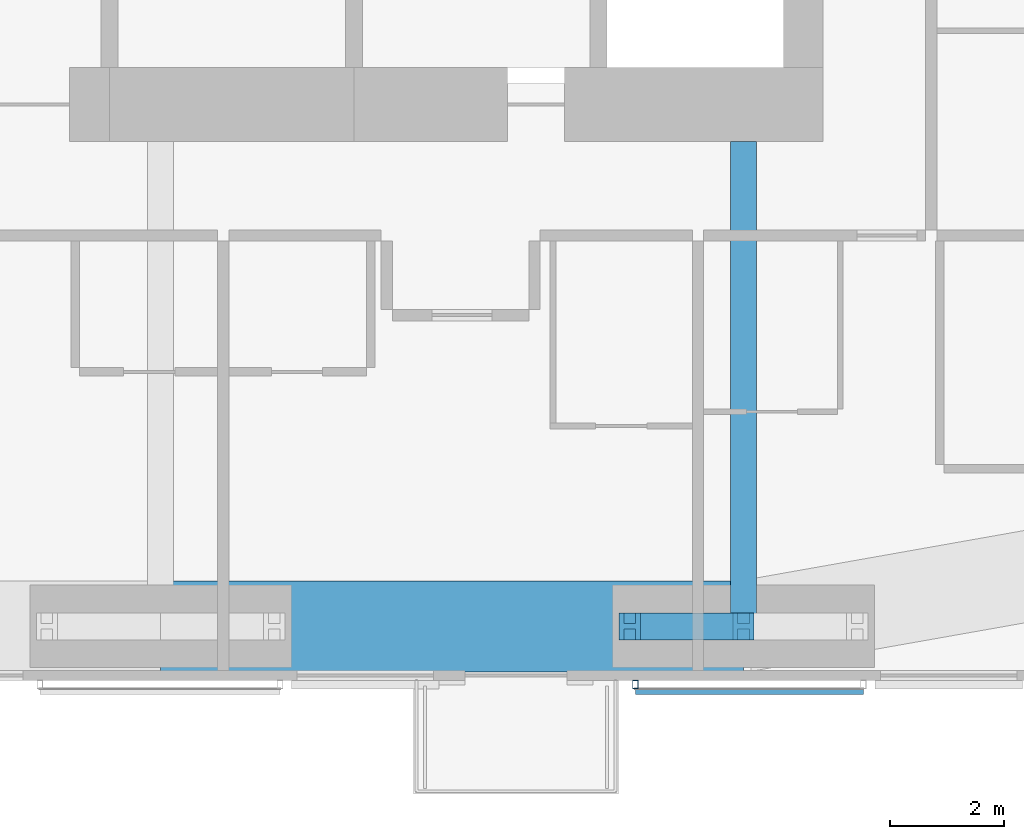
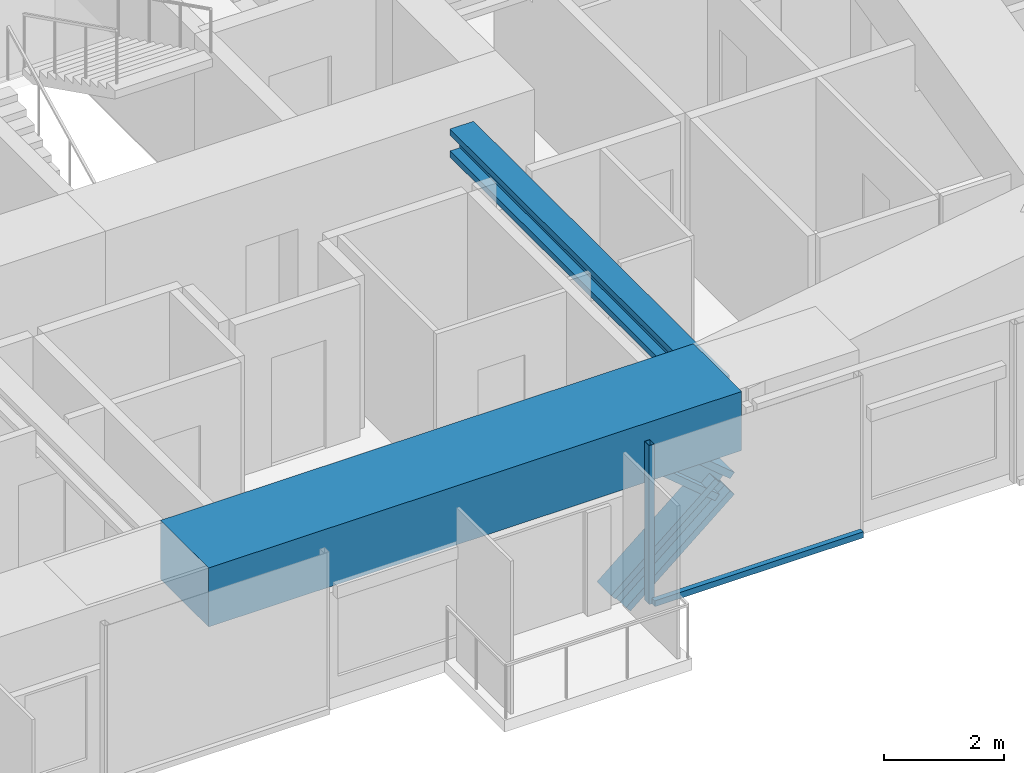
# One storey, part 4 of 23: 4 members, 2 beams, 1 element without a shape of its own.
"""IFC4 building model written with IfcOpenShell, lengths in metres."""

import ifcopenshell
import ifcopenshell.guid

model = None  # the IFC model being written
_history = None  # IfcOwnerHistory: only IFC2X3 demands one
_inside = {}  # id of a spatial element -> (the spatial element, [elements in it])
_under = {}  # id of a project, library or spatial element -> (it, [spatial elements below it])
_declared = {}  # id of a project -> (the project, [libraries it declares])
_typed = {}  # id of a type object -> (the type object, [elements of that type])
_made_of = {}  # id of a material, layer set ... -> (it, [elements and type objects made of it])


def new_model(schema):
    """Start an empty IFC model of exactly this schema.

    Asked for "IFC4X3", IfcOpenShell would pick the latest addendum, in which some entities
    have other attributes; the version numbers below select the first issue.
    IFC2X3 requires an IfcOwnerHistory on every rooted entity: one is made here for all.
    """
    global model, _history
    if schema == "IFC4X3":
        model = ifcopenshell.file(schema_version=(4, 3, 0, 0))
    else:
        model = ifcopenshell.file(schema=schema)
    _inside.clear()
    _under.clear()
    _declared.clear()
    _typed.clear()
    _made_of.clear()
    _history = None
    if model.schema == "IFC2X3":
        org = make("IfcOrganization", Name="unknown")
        user = make(
            "IfcPersonAndOrganization",
            ThePerson=make("IfcPerson", FamilyName="unknown"),
            TheOrganization=org,
        )
        app = make(
            "IfcApplication",
            ApplicationDeveloper=org,
            Version="unknown",
            ApplicationFullName="unknown",
            ApplicationIdentifier="unknown",
        )
        _history = make(
            "IfcOwnerHistory",
            OwningUser=user,
            OwningApplication=app,
            ChangeAction="ADDED",
            CreationDate=0,
        )
    return model


def make(cls, **values):
    """One entity of the class cls with the attributes given. An attribute that is None is left unset."""
    return model.create_entity(
        cls, **{name: value for name, value in values.items() if value is not None}
    )


def rooted(cls, **values):
    """An entity with a GlobalId (a new one), such as an element, a storey or a relation."""
    return make(cls, GlobalId=ifcopenshell.guid.new(), OwnerHistory=_history, **values)


def si_unit(unit_type, name, prefix=None):
    """IfcSIUnit, for example si_unit("LENGTHUNIT", "METRE", prefix="MILLI")."""
    return make("IfcSIUnit", UnitType=unit_type, Prefix=prefix, Name=name)


def assignment(units):
    """IfcUnitAssignment: the units of a project."""
    return None if units is None else make("IfcUnitAssignment", Units=units)


def point(xyz):
    """IfcCartesianPoint."""
    return None if xyz is None else make("IfcCartesianPoint", Coordinates=xyz)


def direction(xyz):
    """IfcDirection."""
    return None if xyz is None else make("IfcDirection", DirectionRatios=xyz)


def frame(location, z_axis=None, x_axis=None):
    """IfcAxis2Placement3D, a coordinate frame: its origin and axes. An axis left out is left unset."""
    return make(
        "IfcAxis2Placement3D",
        Location=point(location),
        Axis=direction(z_axis),
        RefDirection=direction(x_axis),
    )


def frame_2d(location, x_axis=None):
    """IfcAxis2Placement2D, a coordinate frame in the plane: its origin and x axis."""
    return make(
        "IfcAxis2Placement2D", Location=point(location), RefDirection=direction(x_axis)
    )


def origin():
    """The frame at (0, 0, 0) with its axes left unset."""
    return frame((0.0, 0.0, 0.0))


def origin_2d():
    """The frame at (0, 0) in the plane with its x axis left unset."""
    return frame_2d((0.0, 0.0))


def place(relative_to, where):
    """IfcLocalPlacement: puts the frame where relative to a parent placement (None: the world)."""
    return make(
        "IfcLocalPlacement", PlacementRelTo=relative_to, RelativePlacement=where
    )


def context(
    kind, dimensions, precision=None, world=None, true_north=None, identifier=None
):
    """IfcGeometricRepresentationContext, for example the 3D "Model" context."""
    return make(
        "IfcGeometricRepresentationContext",
        ContextIdentifier=identifier,
        ContextType=kind,
        CoordinateSpaceDimension=dimensions,
        Precision=precision,
        WorldCoordinateSystem=world,
        TrueNorth=true_north,
    )


def subcontext(parent, identifier, kind, view, scale=None):
    """IfcGeometricRepresentationSubContext, for example "Body" below "Model"."""
    return make(
        "IfcGeometricRepresentationSubContext",
        ContextIdentifier=identifier,
        ContextType=kind,
        ParentContext=parent,
        TargetScale=scale,
        TargetView=view,
    )


def project(units=None, contexts=None):
    """IfcProject with its units and contexts."""
    return rooted(
        "IfcProject",
        Name="project",
        RepresentationContexts=contexts,
        UnitsInContext=assignment(units),
    )


def spatial(cls, under=None, at=None, **own):
    """A site, building, storey or space (cls), placed at a placement, below another one or the project."""
    s = rooted(cls, ObjectPlacement=at, **own)
    if under is not None:
        _under.setdefault(under.id(), (under, []))[1].append(s)
    return s


def profile(cls, at=None, kind="AREA", **sizes):
    """A parametric profile (cls). Its sizes go by their IFC names, for example OverallWidth=200.0."""
    return make(cls, ProfileType=kind, Position=at, **sizes)


def rectangle(**sizes):
    """IfcRectangleProfileDef."""
    return profile("IfcRectangleProfileDef", **sizes)


def hollow_rectangle(**sizes):
    """IfcRectangleHollowProfileDef."""
    return profile("IfcRectangleHollowProfileDef", **sizes)


def i_section(**sizes):
    """IfcIShapeProfileDef."""
    return profile("IfcIShapeProfileDef", **sizes)


def extrude(swept, where, along, depth):
    """IfcExtrudedAreaSolid: the profile swept, set in the frame where, extruded along a direction by depth."""
    return make(
        "IfcExtrudedAreaSolid",
        SweptArea=swept,
        Position=where,
        ExtrudedDirection=direction(along),
        Depth=depth,
    )


def shape(context_of_items, identifier, shape_type, items):
    """IfcShapeRepresentation: the items that make up one representation, for example the "Body"."""
    return make(
        "IfcShapeRepresentation",
        ContextOfItems=context_of_items,
        RepresentationIdentifier=identifier,
        RepresentationType=shape_type,
        Items=items,
    )


def material(Name=None, Category=None):
    """IfcMaterial."""
    return make("IfcMaterial", Name=Name, Category=Category)


def material_profile(
    of_material, cross_section, Name=None, Category=None, Priority=None
):
    """IfcMaterialProfile: a cross section and its material."""
    return make(
        "IfcMaterialProfile",
        Name=Name,
        Material=of_material,
        Profile=cross_section,
        Priority=Priority,
        Category=Category,
    )


def profile_set(profiles, Name=None, composite=None):
    """IfcMaterialProfileSet."""
    return make(
        "IfcMaterialProfileSet",
        Name=Name,
        MaterialProfiles=profiles,
        CompositeProfile=composite,
    )


def made_of(thing, what):
    """Note that an element or type object is made of a material, layer set ...; save() writes the relation."""
    if what is not None:
        _made_of.setdefault(what.id(), (what, []))[1].append(thing)
    return thing


def type_object(cls, material=None, **own):
    """A type object (cls), such as IfcWallType, which elements share."""
    return made_of(rooted(cls, **own), material)


def element(
    cls,
    number,
    at=None,
    inside=None,
    cuts=None,
    type_object=None,
    material=None,
    context=None,
    identifier="Body",
    shape_type=None,
    held_by="IfcProductDefinitionShape",
    body=None,
    shapes=None,
    **own,
):
    """One element of the class cls, such as IfcWall. Its Tag is "e" and its number.

    at: its placement. inside: the storey or other place that contains it. cuts: it is an
    opening in that element (IfcRelVoidsElement). A single representation is given by context,
    identifier, shape_type and body (its items); several are given by shapes. held_by: the class
    of the entity that holds the representations. save() writes the other relations.
    """
    e = rooted(cls, Tag="e%d" % number, ObjectPlacement=at, **own)
    if body is not None:
        shapes = [shape(context, identifier, shape_type, body)]
    if shapes is not None:
        e.Representation = make(held_by, Representations=shapes)
    if inside is not None:
        _inside.setdefault(inside.id(), (inside, []))[1].append(e)
    if cuts is not None:
        rooted(
            "IfcRelVoidsElement", RelatingBuildingElement=cuts, RelatedOpeningElement=e
        )
    if type_object is not None:
        _typed.setdefault(type_object.id(), (type_object, []))[1].append(e)
    return made_of(e, material)


def aggregate(whole, parts):
    """IfcRelAggregates: a whole, such as a stair, and the parts it consists of."""
    return rooted("IfcRelAggregates", RelatingObject=whole, RelatedObjects=parts)


def save(model, path):
    """Write the relations noted so far, then the file.

    IfcRelAggregates (storeys below a building ...), IfcRelContainedInSpatialStructure (elements
    in a storey), IfcRelDefinesByType, IfcRelAssociatesMaterial and IfcRelDeclares: one each for
    every whole, place, type object, material and project.
    """
    for whole, parts in _under.values():
        aggregate(whole, parts)
    for where, things in _inside.values():
        rooted(
            "IfcRelContainedInSpatialStructure",
            RelatedElements=things,
            RelatingStructure=where,
        )
    for kind, things in _typed.values():
        rooted("IfcRelDefinesByType", RelatedObjects=things, RelatingType=kind)
    for what, things in _made_of.values():
        rooted("IfcRelAssociatesMaterial", RelatedObjects=things, RelatingMaterial=what)
    for by, libraries in _declared.values():
        rooted("IfcRelDeclares", RelatingContext=by, RelatedDefinitions=libraries)
    model.write(path)


model = new_model("IFC4")

# Units and contexts
model_context = context("Model", 3, precision=1e-05, world=origin(), true_north=direction((0.0, 1.0)))
body_context = subcontext(model_context, "Body", "Model", "MODEL_VIEW")
ifc_project = project(units=[si_unit("LENGTHUNIT", "METRE"), si_unit("AREAUNIT", "SQUARE_METRE"), si_unit("VOLUMEUNIT", "CUBIC_METRE"), si_unit("PLANEANGLEUNIT", "RADIAN"), si_unit("MASSUNIT", "GRAM", prefix="KILO")], contexts=[model_context])

# Site, building, storey
site_placement = place(None, origin())
site = spatial("IfcSite", under=ifc_project, at=site_placement, CompositionType="ELEMENT")
building_placement = place(site_placement, origin())
building = spatial("IfcBuilding", under=site, at=building_placement, Name="Jalousie Tower", CompositionType="ELEMENT")
storey_placement = place(building_placement, frame((0.0, 0.0, 167.75)))
storey = spatial("IfcBuildingStorey", under=building, at=storey_placement, Name="L45", CompositionType="ELEMENT", Elevation=167.75)

# Beam
ifc_material_1 = material(Name="Steel ASTM A992 Grade 50", Category="steel")
ifc_material_profile_1 = material_profile(ifc_material_1, i_section(OverallWidth=0.45458984375, OverallDepth=0.569091796875, WebThickness=0.077880859375, FlangeThickness=0.124755859375, at=origin_2d()), Name="W14X730")
ifc_profile_set_1 = profile_set([ifc_material_profile_1], Name="Steel ASTM A992 Grade 50")
beam_type_1 = type_object("IfcBeamType", Name="LEAN COLLECTOR W14X730", PredefinedType="BEAM", material=ifc_profile_set_1)
beam_1_placement = place(storey_placement, frame((42.75, 0.949951171875, 2.825439453125), z_axis=(0.0, 1.0, 0.0), x_axis=(-1.0, 0.0, 0.0)))
element("IfcBeam", 1, at=beam_1_placement, inside=storey, type_object=beam_type_1, Name="Lean collector under L46", PredefinedType="BEAM", context=body_context, shape_type="SweptSolid", body=[
    extrude(i_section(OverallWidth=0.45458984375, OverallDepth=0.569091796875, WebThickness=0.077880859375, FlangeThickness=0.124755859375, at=origin_2d()), origin(), (0.0, 0.0, 1.0), 8.525146484375),
])

# Members
ifc_material_2 = material(Name="Steel ASTM A992 Grade 50", Category="steel")
ifc_material_profile_2 = material_profile(ifc_material_2, i_section(OverallWidth=0.472412109375, OverallDepth=0.5791015625, WebThickness=0.094970703125, FlangeThickness=0.1298828125, at=origin_2d()), Name="W14X808")
ifc_profile_set_2 = profile_set([ifc_material_profile_2], Name="Steel ASTM A992 Grade 50")
member_type_1 = type_object("IfcMemberType", Name="PERIMETER BRACE W14X808", PredefinedType="BRACE", material=ifc_profile_set_2)
for number, where, z_axis, x_axis, name in (
    (2, (40.75, 0.949951171875, -0.60009765625), (0.766638753323, 0.0, 0.642078672674), (0.0, 1.0, 0.0), "Perimeter brace 04 L45 part 1"),
    (3, (42.75, 0.949951171875, 1.074951171875), (-0.766638753323, 0.0, 0.642078672674), (0.0, -1.0, 0.0), "Perimeter brace 04 L45 part 4"),
):
    element("IfcMember", number, at=place(storey_placement, frame(where, z_axis=z_axis, x_axis=x_axis)), inside=storey, type_object=member_type_1, Name=name, PredefinedType="BRACE", context=body_context, shape_type="SweptSolid", body=[
        extrude(i_section(OverallWidth=0.472412109375, OverallDepth=0.5791015625, WebThickness=0.094970703125, FlangeThickness=0.1298828125, at=origin_2d()), origin(), (0.0, 0.0, 1.0), 2.60888671875),
    ])

# Beam
ifc_material_3 = material(Name="Concrete f'c 40 MPa", Category="concrete")
ifc_material_profile_3 = material_profile(ifc_material_3, rectangle(XDim=1.60009765625, YDim=1.199951171875, at=origin_2d()), Name="RC 1600x1200")
ifc_profile_set_3 = profile_set([ifc_material_profile_3], Name="Concrete f'c 40 MPa")
beam_type_2 = type_object("IfcBeamType", Name="RC BEAM 1600x1200", PredefinedType="BEAM", material=ifc_profile_set_3)
beam_2_placement = place(storey_placement, frame((32.5, 0.949951171875, 2.75), z_axis=(1.0, 0.0, 0.0), x_axis=(0.0, 1.0, 0.0)))
element("IfcBeam", 4, at=beam_2_placement, inside=storey, type_object=beam_type_2, Name="Edge band beam 03-04 under L46", PredefinedType="BEAM", context=body_context, shape_type="SweptSolid", body=[
    extrude(rectangle(XDim=1.60009765625, YDim=1.199951171875, at=origin_2d()), origin(), (0.0, 0.0, 1.0), 10.25),
])

# Curtain wall, members
ifc_material_4 = material(Name="Perforated aluminium sheet", Category="aluminium")
curtain_wall_type = type_object("IfcCurtainWallType", Name="SOLAR SCREEN SS-1", PredefinedType="USERDEFINED", material=ifc_material_4)
curtain_wall_placement = place(storey_placement, origin())
curtain_wall = element("IfcCurtainWall", 5, at=curtain_wall_placement, inside=storey, type_object=curtain_wall_type, Name="Solar screen L45", ObjectType="SOLAR SCREEN SS-1", PredefinedType="USERDEFINED")
ifc_material_5 = material(Name="Steel ASTM A500 Grade C", Category="steel")
ifc_material_profile_4 = material_profile(ifc_material_5, hollow_rectangle(XDim=0.1015625, YDim=0.15234375, WallThickness=0.00634765625, at=origin_2d()), Name="HSS6X4X1/4")
ifc_profile_set_4 = profile_set([ifc_material_profile_4], Name="Steel ASTM A500 Grade C")
member_type_2 = type_object("IfcMemberType", Name="SOLAR SCREEN SS-1 MULLION", PredefinedType="MULLION", material=ifc_profile_set_4)
member_1_placement = place(storey_placement, frame((40.85009765625, -0.0712890625, -0.1201171875), z_axis=(0.0, 0.0, 1.0), x_axis=(1.0, 0.0, 0.0)))
member_1 = element("IfcMember", 6, at=member_1_placement, type_object=member_type_2, Name="SS1 post 1", PredefinedType="MULLION", context=body_context, shape_type="SweptSolid", body=[
    extrude(hollow_rectangle(XDim=0.1015625, YDim=0.15234375, WallThickness=0.00634765625, at=origin_2d()), origin(), (0.0, 0.0, 1.0), 3.230224609375),
])
ifc_material_6 = material(Name="Extruded aluminium screen rail", Category="aluminium")
ifc_material_profile_5 = material_profile(ifc_material_6, rectangle(XDim=0.1015625, YDim=0.1201171875, at=origin_2d()), Name="RAIL 102x120")
ifc_profile_set_5 = profile_set([ifc_material_profile_5], Name="Extruded aluminium screen rail")
member_type_3 = type_object("IfcMemberType", Name="SOLAR SCREEN SS-1 TRANSOM", PredefinedType="USERDEFINED", material=ifc_profile_set_5)
member_2_placement = place(storey_placement, frame((40.85009765625, -0.1982421875, -0.06005859375), z_axis=(1.0, 0.0, 0.0), x_axis=(0.0, 1.0, 0.0)))
member_2 = element("IfcMember", 7, at=member_2_placement, type_object=member_type_3, Name="SS1 rail", ObjectType="TRANSOM", PredefinedType="USERDEFINED", context=body_context, shape_type="SweptSolid", body=[
    extrude(rectangle(XDim=0.1015625, YDim=0.1201171875, at=origin_2d()), origin(), (0.0, 0.0, 1.0), 4.00927734375),
])
aggregate(curtain_wall, [member_1, member_2])

save(model, "model.ifc")
